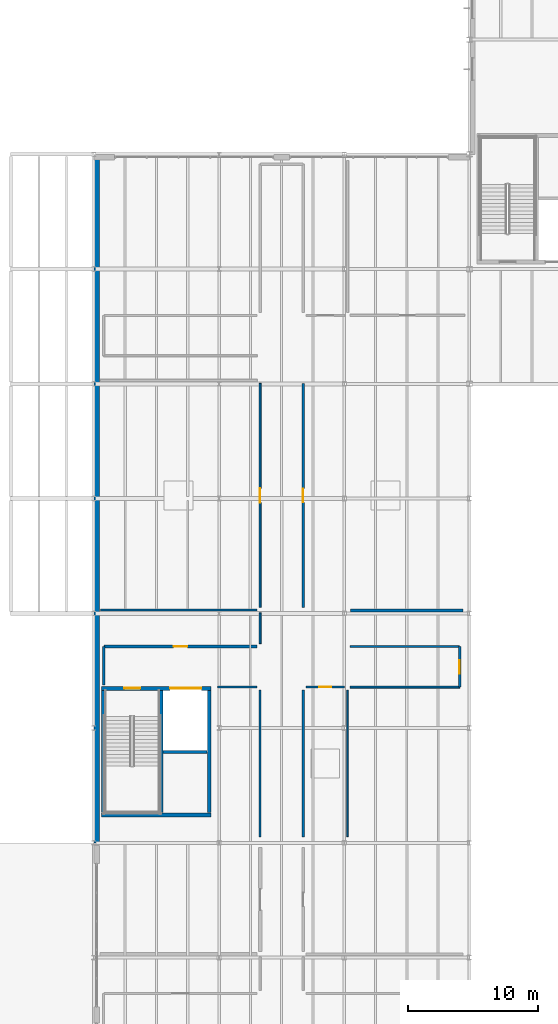
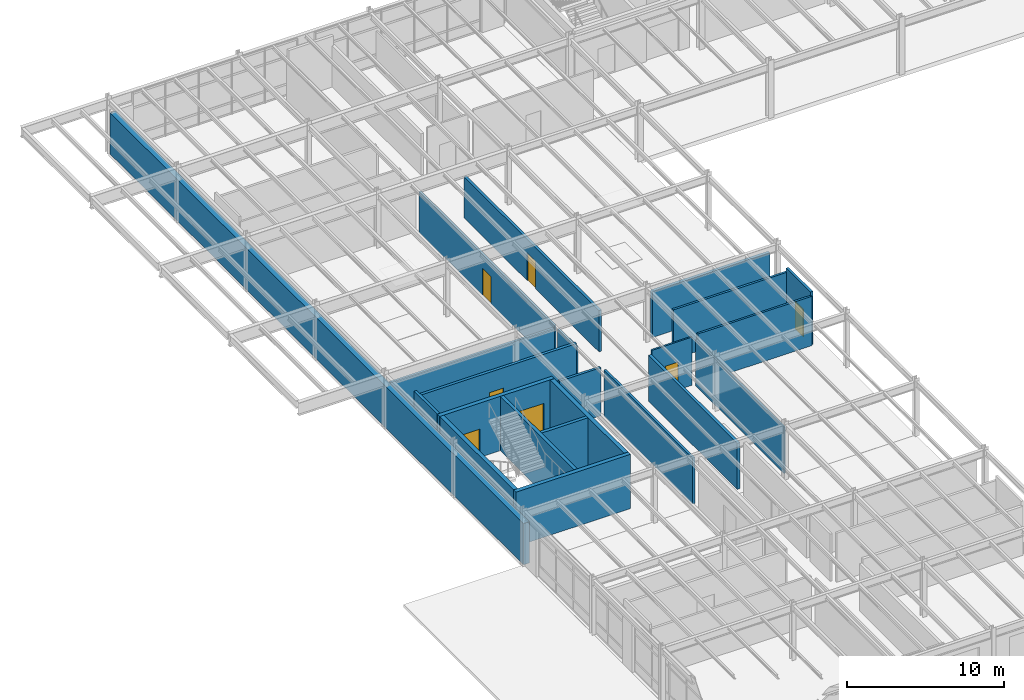
# One storey, part 56 of 77: 22 walls, 7 doors, 7 openings.
"""IFC4 building model written with IfcOpenShell, lengths in metres."""

import ifcopenshell
import ifcopenshell.guid

model = None  # the IFC model being written
_history = None  # IfcOwnerHistory: only IFC2X3 demands one
_inside = {}  # id of a spatial element -> (the spatial element, [elements in it])
_under = {}  # id of a project, library or spatial element -> (it, [spatial elements below it])
_declared = {}  # id of a project -> (the project, [libraries it declares])
_typed = {}  # id of a type object -> (the type object, [elements of that type])
_made_of = {}  # id of a material, layer set ... -> (it, [elements and type objects made of it])


def new_model(schema):
    """Start an empty IFC model of exactly this schema.

    Asked for "IFC4X3", IfcOpenShell would pick the latest addendum, in which some entities
    have other attributes; the version numbers below select the first issue.
    IFC2X3 requires an IfcOwnerHistory on every rooted entity: one is made here for all.
    """
    global model, _history
    if schema == "IFC4X3":
        model = ifcopenshell.file(schema_version=(4, 3, 0, 0))
    else:
        model = ifcopenshell.file(schema=schema)
    _inside.clear()
    _under.clear()
    _declared.clear()
    _typed.clear()
    _made_of.clear()
    _history = None
    if model.schema == "IFC2X3":
        org = make("IfcOrganization", Name="unknown")
        user = make(
            "IfcPersonAndOrganization",
            ThePerson=make("IfcPerson", FamilyName="unknown"),
            TheOrganization=org,
        )
        app = make(
            "IfcApplication",
            ApplicationDeveloper=org,
            Version="unknown",
            ApplicationFullName="unknown",
            ApplicationIdentifier="unknown",
        )
        _history = make(
            "IfcOwnerHistory",
            OwningUser=user,
            OwningApplication=app,
            ChangeAction="ADDED",
            CreationDate=0,
        )
    return model


def make(cls, **values):
    """One entity of the class cls with the attributes given. An attribute that is None is left unset."""
    return model.create_entity(
        cls, **{name: value for name, value in values.items() if value is not None}
    )


def rooted(cls, **values):
    """An entity with a GlobalId (a new one), such as an element, a storey or a relation."""
    return make(cls, GlobalId=ifcopenshell.guid.new(), OwnerHistory=_history, **values)


def si_unit(unit_type, name, prefix=None):
    """IfcSIUnit, for example si_unit("LENGTHUNIT", "METRE", prefix="MILLI")."""
    return make("IfcSIUnit", UnitType=unit_type, Prefix=prefix, Name=name)


def assignment(units):
    """IfcUnitAssignment: the units of a project."""
    return None if units is None else make("IfcUnitAssignment", Units=units)


def point(xyz):
    """IfcCartesianPoint."""
    return None if xyz is None else make("IfcCartesianPoint", Coordinates=xyz)


def direction(xyz):
    """IfcDirection."""
    return None if xyz is None else make("IfcDirection", DirectionRatios=xyz)


def frame(location, z_axis=None, x_axis=None):
    """IfcAxis2Placement3D, a coordinate frame: its origin and axes. An axis left out is left unset."""
    return make(
        "IfcAxis2Placement3D",
        Location=point(location),
        Axis=direction(z_axis),
        RefDirection=direction(x_axis),
    )


def frame_2d(location, x_axis=None):
    """IfcAxis2Placement2D, a coordinate frame in the plane: its origin and x axis."""
    return make(
        "IfcAxis2Placement2D", Location=point(location), RefDirection=direction(x_axis)
    )


def origin():
    """The frame at (0, 0, 0) with its axes left unset."""
    return frame((0.0, 0.0, 0.0))


def place(relative_to, where):
    """IfcLocalPlacement: puts the frame where relative to a parent placement (None: the world)."""
    return make(
        "IfcLocalPlacement", PlacementRelTo=relative_to, RelativePlacement=where
    )


def context(
    kind, dimensions, precision=None, world=None, true_north=None, identifier=None
):
    """IfcGeometricRepresentationContext, for example the 3D "Model" context."""
    return make(
        "IfcGeometricRepresentationContext",
        ContextIdentifier=identifier,
        ContextType=kind,
        CoordinateSpaceDimension=dimensions,
        Precision=precision,
        WorldCoordinateSystem=world,
        TrueNorth=true_north,
    )


def subcontext(parent, identifier, kind, view, scale=None):
    """IfcGeometricRepresentationSubContext, for example "Body" below "Model"."""
    return make(
        "IfcGeometricRepresentationSubContext",
        ContextIdentifier=identifier,
        ContextType=kind,
        ParentContext=parent,
        TargetScale=scale,
        TargetView=view,
    )


def project(units=None, contexts=None):
    """IfcProject with its units and contexts."""
    return rooted(
        "IfcProject",
        Name="project",
        RepresentationContexts=contexts,
        UnitsInContext=assignment(units),
    )


def spatial(cls, under=None, at=None, **own):
    """A site, building, storey or space (cls), placed at a placement, below another one or the project."""
    s = rooted(cls, ObjectPlacement=at, **own)
    if under is not None:
        _under.setdefault(under.id(), (under, []))[1].append(s)
    return s


def profile(cls, at=None, kind="AREA", **sizes):
    """A parametric profile (cls). Its sizes go by their IFC names, for example OverallWidth=200.0."""
    return make(cls, ProfileType=kind, Position=at, **sizes)


def rectangle(**sizes):
    """IfcRectangleProfileDef."""
    return profile("IfcRectangleProfileDef", **sizes)


def extrude(swept, where, along, depth):
    """IfcExtrudedAreaSolid: the profile swept, set in the frame where, extruded along a direction by depth."""
    return make(
        "IfcExtrudedAreaSolid",
        SweptArea=swept,
        Position=where,
        ExtrudedDirection=direction(along),
        Depth=depth,
    )


def shape(context_of_items, identifier, shape_type, items):
    """IfcShapeRepresentation: the items that make up one representation, for example the "Body"."""
    return make(
        "IfcShapeRepresentation",
        ContextOfItems=context_of_items,
        RepresentationIdentifier=identifier,
        RepresentationType=shape_type,
        Items=items,
    )


def material(Name=None, Category=None):
    """IfcMaterial."""
    return make("IfcMaterial", Name=Name, Category=Category)


def layer(
    of_material, thickness, ventilated=None, Name=None, Category=None, Priority=None
):
    """IfcMaterialLayer: one layer of a wall or slab, of a material (None: an air gap)."""
    return make(
        "IfcMaterialLayer",
        Material=of_material,
        LayerThickness=thickness,
        IsVentilated=ventilated,
        Name=Name,
        Category=Category,
        Priority=Priority,
    )


def layer_set(layers, Name=None):
    """IfcMaterialLayerSet."""
    return make("IfcMaterialLayerSet", MaterialLayers=layers, LayerSetName=Name)


def made_of(thing, what):
    """Note that an element or type object is made of a material, layer set ...; save() writes the relation."""
    if what is not None:
        _made_of.setdefault(what.id(), (what, []))[1].append(thing)
    return thing


def type_object(cls, material=None, **own):
    """A type object (cls), such as IfcWallType, which elements share."""
    return made_of(rooted(cls, **own), material)


def element(
    cls,
    number,
    at=None,
    inside=None,
    cuts=None,
    type_object=None,
    material=None,
    context=None,
    identifier="Body",
    shape_type=None,
    held_by="IfcProductDefinitionShape",
    body=None,
    shapes=None,
    **own,
):
    """One element of the class cls, such as IfcWall. Its Tag is "e" and its number.

    at: its placement. inside: the storey or other place that contains it. cuts: it is an
    opening in that element (IfcRelVoidsElement). A single representation is given by context,
    identifier, shape_type and body (its items); several are given by shapes. held_by: the class
    of the entity that holds the representations. save() writes the other relations.
    """
    e = rooted(cls, Tag="e%d" % number, ObjectPlacement=at, **own)
    if body is not None:
        shapes = [shape(context, identifier, shape_type, body)]
    if shapes is not None:
        e.Representation = make(held_by, Representations=shapes)
    if inside is not None:
        _inside.setdefault(inside.id(), (inside, []))[1].append(e)
    if cuts is not None:
        rooted(
            "IfcRelVoidsElement", RelatingBuildingElement=cuts, RelatedOpeningElement=e
        )
    if type_object is not None:
        _typed.setdefault(type_object.id(), (type_object, []))[1].append(e)
    return made_of(e, material)


def fill(opening, filler):
    """IfcRelFillsElement: the door or window that sits in an opening."""
    return rooted(
        "IfcRelFillsElement",
        RelatingOpeningElement=opening,
        RelatedBuildingElement=filler,
    )


def aggregate(whole, parts):
    """IfcRelAggregates: a whole, such as a stair, and the parts it consists of."""
    return rooted("IfcRelAggregates", RelatingObject=whole, RelatedObjects=parts)


def save(model, path):
    """Write the relations noted so far, then the file.

    IfcRelAggregates (storeys below a building ...), IfcRelContainedInSpatialStructure (elements
    in a storey), IfcRelDefinesByType, IfcRelAssociatesMaterial and IfcRelDeclares: one each for
    every whole, place, type object, material and project.
    """
    for whole, parts in _under.values():
        aggregate(whole, parts)
    for where, things in _inside.values():
        rooted(
            "IfcRelContainedInSpatialStructure",
            RelatedElements=things,
            RelatingStructure=where,
        )
    for kind, things in _typed.values():
        rooted("IfcRelDefinesByType", RelatedObjects=things, RelatingType=kind)
    for what, things in _made_of.values():
        rooted("IfcRelAssociatesMaterial", RelatedObjects=things, RelatingMaterial=what)
    for by, libraries in _declared.values():
        rooted("IfcRelDeclares", RelatingContext=by, RelatedDefinitions=libraries)
    model.write(path)


model = new_model("IFC4")

# Units and contexts
model_context = context("Model", 3, precision=1e-05, world=origin(), true_north=direction((0.0, 1.0)))
body_context = subcontext(model_context, "Body", "Model", "MODEL_VIEW")
ifc_project = project(units=[si_unit("LENGTHUNIT", "METRE"), si_unit("AREAUNIT", "SQUARE_METRE"), si_unit("VOLUMEUNIT", "CUBIC_METRE"), si_unit("PLANEANGLEUNIT", "RADIAN"), si_unit("MASSUNIT", "GRAM", prefix="KILO")], contexts=[model_context])

# Site, building, storey
site_placement = place(None, origin())
site = spatial("IfcSite", under=ifc_project, at=site_placement, CompositionType="ELEMENT")
building_placement = place(site_placement, origin())
building = spatial("IfcBuilding", under=site, at=building_placement, Name="Sarnbrook Museum", CompositionType="ELEMENT")
storey_placement = place(building_placement, frame((0.0, 0.0, 5.60009765625)))
storey = spatial("IfcBuildingStorey", under=building, at=storey_placement, Name="L01", CompositionType="ELEMENT", Elevation=5.60009765625)

# Wall
ifc_material_1 = material(Name="Concrete N50 (AS 3600, f'c = 50 MPa)", Category="concrete")
ifc_layer_1 = layer(ifc_material_1, 0.300048828125)
ifc_layer_set_1 = layer_set([ifc_layer_1], Name="Concrete N50 (AS 3600, f'c = 50 MPa)")
wall_type_1 = type_object("IfcWallType", Name="CoreWall_CWRC", PredefinedType="SHEAR", material=ifc_layer_set_1)
wall_1_placement = place(storey_placement, frame((14.199951171875, 41.35009765625, 0.0), z_axis=(0.0, 0.0, 1.0), x_axis=(1.0, 0.0, 0.0)))
element("IfcWall", 1, at=wall_1_placement, inside=storey, type_object=wall_type_1, Name="Core C5 Shear Wall S L01", PredefinedType="SHEAR", context=body_context, shape_type="SweptSolid", body=[
    extrude(rectangle(XDim=8.400146484375, YDim=0.300048828125, at=frame_2d((4.2001953125, 0.0))), origin(), (0.0, 0.0, 1.0), 4.21484375),
])

# Wall, openings, doors
wall_2_placement = place(storey_placement, frame((22.60009765625, 51.050048828125, 0.0), z_axis=(0.0, 0.0, 1.0), x_axis=(-1.0, 0.0, 0.0)))
wall_2 = element("IfcWall", 2, at=wall_2_placement, inside=storey, type_object=wall_type_1, Name="Core C5 Shear Wall N L01", PredefinedType="SHEAR", context=body_context, shape_type="SweptSolid", body=[
    extrude(rectangle(XDim=8.400146484375, YDim=0.300048828125, at=frame_2d((4.2001953125, 0.0))), origin(), (0.0, 0.0, 1.0), 4.21484375),
])
opening_1_placement = place(wall_2_placement, frame((5.43505859375, 0.0, 0.0)))
opening_1 = element("IfcOpeningElement", 3, at=opening_1_placement, cuts=wall_2, Name="Opening D-ST-ST5-L01", PredefinedType="OPENING", context=body_context, shape_type="SweptSolid", body=[
    extrude(rectangle(XDim=1.25, YDim=2.199951171875, at=frame_2d((0.625, 1.10009765625))), frame((0.0, 0.16015625, 0.0), z_axis=(0.0, -1.0, 0.0), x_axis=(1.0, 0.0, 0.0)), (0.0, 0.0, 1.0), 0.320068359375),
])
opening_2_placement = place(wall_2_placement, frame((0.75, 0.0, 0.0)))
opening_2 = element("IfcOpeningElement", 4, at=opening_2_placement, cuts=wall_2, Name="Opening LD-GL1-L01", PredefinedType="OPENING", context=body_context, shape_type="SweptSolid", body=[
    extrude(rectangle(XDim=2.39990234375, YDim=2.550048828125, at=frame_2d((1.199951171875, 1.27490234375))), frame((0.0, 0.16015625, 0.0), z_axis=(0.0, -1.0, 0.0), x_axis=(1.0, 0.0, 0.0)), (0.0, 0.0, 1.0), 0.320068359375),
])
ifc_material_2 = material(Name="Tasmanian Oak Acoustic Timber", Category="wood")
door_type_1 = type_object("IfcDoorType", Name="FireDoor_FD120", OperationType="NOTDEFINED", PredefinedType="DOOR", material=ifc_material_2)
door_1_placement = place(opening_1_placement, origin())
door_1 = element("IfcDoor", 5, at=door_1_placement, inside=storey, type_object=door_type_1, Name="Exit Stair ST5 Fire Door L01", OperationType="SINGLE_SWING_LEFT", OverallHeight=2.199951171875, OverallWidth=1.25, PredefinedType="DOOR", context=body_context, shape_type="SweptSolid", body=[
    extrude(rectangle(XDim=1.25, YDim=2.199951171875, at=frame_2d((0.625, 1.10009765625))), frame((0.0, 0.02490234375, 0.0), z_axis=(0.0, -1.0, 0.0), x_axis=(1.0, 0.0, 0.0)), (0.0, 0.0, 1.0), 0.050048828125),
])
fill(opening_1, door_1)
ifc_material_3 = material(Name="Brushed Stainless Steel Grade 316", Category="steel")
door_type_2 = type_object("IfcDoorType", Name="LiftDoor_Goods240", OperationType="DOUBLE_DOOR_SLIDING", PredefinedType="DOOR", material=ifc_material_3)
door_2_placement = place(opening_2_placement, origin())
door_2 = element("IfcDoor", 6, at=door_2_placement, inside=storey, type_object=door_type_2, Name="Lift Landing Sliding Door LD-GL1-L01", OperationType="DOUBLE_DOOR_SLIDING", OverallHeight=2.550048828125, OverallWidth=2.39990234375, PredefinedType="DOOR", context=body_context, shape_type="SweptSolid", body=[
    extrude(rectangle(XDim=2.39990234375, YDim=2.550048828125, at=frame_2d((1.199951171875, 1.27490234375))), frame((0.0, 0.02490234375, 0.0), z_axis=(0.0, -1.0, 0.0), x_axis=(1.0, 0.0, 0.0)), (0.0, 0.0, 1.0), 0.050048828125),
])
fill(opening_2, door_2)

# Walls
for number, where, z_axis, x_axis, name in (
    (7, (22.449951171875, 41.510009765625, 0.0), (0.0, 0.0, 1.0), (0.0, 1.0, 0.0), "Core C5 Shear Wall E L01"),
    (8, (14.35009765625, 50.889892578125, 0.0), (0.0, 0.0, 1.0), (0.0, -1.0, 0.0), "Core C5 Shear Wall W L01"),
):
    element("IfcWall", number, at=place(storey_placement, frame(where, z_axis=z_axis, x_axis=x_axis)), inside=storey, type_object=wall_type_1, Name=name, PredefinedType="SHEAR", context=body_context, shape_type="SweptSolid", body=[
        extrude(rectangle(XDim=9.3798828125, YDim=0.300048828125, at=frame_2d((4.68994140625, 0.0))), origin(), (0.0, 0.0, 1.0), 4.21484375),
    ])

# Wall, opening, door
ifc_material_4 = material(Name="Fire-Rated Acoustic Gypsum Plasterboard")
ifc_layer_2 = layer(ifc_material_4, 0.1201171875)
ifc_layer_set_2 = layer_set([ifc_layer_2], Name="Fire-Rated Acoustic Gypsum Plasterboard")
wall_type_2 = type_object("IfcWallType", Name="PartWall_P120", PredefinedType="PARTITIONING", material=ifc_layer_set_2)
wall_3_placement = place(storey_placement, frame((29.8798828125, 51.14990234375, 0.0), z_axis=(0.0, 0.0, 1.0), x_axis=(1.0, 0.0, 0.0)))
wall_3 = element("IfcWall", 9, at=wall_3_placement, inside=storey, type_object=wall_type_2, Name="Interior Partition Wall L01-0391", PredefinedType="PARTITIONING", context=body_context, shape_type="SweptSolid", body=[
    extrude(rectangle(XDim=2.9501953125, YDim=0.1201171875, at=frame_2d((1.47509765625, 0.0))), origin(), (0.0, 0.0, 1.0), 3.73291015625),
])
opening_3_placement = place(wall_3_placement, frame((1.014892578125, 0.0, 0.0)))
opening_3 = element("IfcOpeningElement", 10, at=opening_3_placement, cuts=wall_3, Name="Opening D-L01-121", PredefinedType="OPENING", context=body_context, shape_type="SweptSolid", body=[
    extrude(rectangle(XDim=0.919921875, YDim=2.159912109375, at=frame_2d((0.4599609375, 1.080078125))), frame((0.0, 0.070068359375, 0.0), z_axis=(0.0, -1.0, 0.0), x_axis=(1.0, 0.0, 0.0)), (0.0, 0.0, 1.0), 0.14013671875),
])
door_type_3 = type_object("IfcDoorType", Name="IntDoor_DT07", OperationType="NOTDEFINED", PredefinedType="DOOR", material=ifc_material_2)
door_3_placement = place(opening_3_placement, origin())
door_3 = element("IfcDoor", 11, at=door_3_placement, inside=storey, type_object=door_type_3, Name="Marine Biodiversity Gallery L01-29 Door D-L01-121", OperationType="SINGLE_SWING_LEFT", OverallHeight=2.159912109375, OverallWidth=0.919921875, PredefinedType="DOOR", context=body_context, shape_type="SweptSolid", body=[
    extrude(rectangle(XDim=0.919921875, YDim=2.159912109375, at=frame_2d((0.4599609375, 1.080078125))), frame((0.0, 0.02490234375, 0.0), z_axis=(0.0, -1.0, 0.0), x_axis=(1.0, 0.0, 0.0)), (0.0, 0.0, 1.0), 0.050048828125),
])
fill(opening_3, door_3)

# Wall
wall_4_placement = place(storey_placement, frame((33.06005859375, 50.919921875, 0.0), z_axis=(0.0, 0.0, 1.0), x_axis=(0.0, -1.0, 0.0)))
element("IfcWall", 12, at=wall_4_placement, inside=storey, type_object=wall_type_2, Name="Interior Partition Wall L01-0440", PredefinedType="PARTITIONING", context=body_context, shape_type="SweptSolid", body=[
    extrude(rectangle(XDim=11.239990234375, YDim=0.1201171875, at=frame_2d((5.6201171875, 0.0))), origin(), (0.0, 0.0, 1.0), 3.5830078125),
])

# Wall, opening, door
ifc_layer_3 = layer(ifc_material_4, 0.135009765625)
ifc_layer_set_3 = layer_set([ifc_layer_3], Name="Fire-Rated Acoustic Gypsum Plasterboard")
wall_type_3 = type_object("IfcWallType", Name="PartWall_P135", PredefinedType="PARTITIONING", material=ifc_layer_set_3)
wall_5_placement = place(storey_placement, frame((26.35009765625, 74.429931640625, 0.0), z_axis=(0.0, 0.0, 1.0), x_axis=(0.0, -1.0, 0.0)))
wall_5 = element("IfcWall", 13, at=wall_5_placement, inside=storey, type_object=wall_type_3, Name="Interior Partition Wall L01-0383", PredefinedType="PARTITIONING", context=body_context, shape_type="SweptSolid", body=[
    extrude(rectangle(XDim=17.179931640625, YDim=0.135009765625, at=frame_2d((8.58984375, 0.0))), origin(), (0.0, 0.0, 1.0), 3.18994140625),
])
opening_4_placement = place(wall_5_placement, frame((8.0400390625, 0.0, 0.0)))
opening_4 = element("IfcOpeningElement", 14, at=opening_4_placement, cuts=wall_5, Name="Opening D-L01-119", PredefinedType="OPENING", context=body_context, shape_type="SweptSolid", body=[
    extrude(rectangle(XDim=1.10009765625, YDim=2.080078125, at=frame_2d((0.550048828125, 1.0400390625))), frame((0.0, 0.07763671875, 0.0), z_axis=(0.0, -1.0, 0.0), x_axis=(1.0, 0.0, 0.0)), (0.0, 0.0, 1.0), 0.155029296875),
])
door_type_4 = type_object("IfcDoorType", Name="IntDoor_DT05", OperationType="NOTDEFINED", PredefinedType="DOOR", material=ifc_material_2)
door_4_placement = place(opening_4_placement, origin())
door_4 = element("IfcDoor", 15, at=door_4_placement, inside=storey, type_object=door_type_4, Name="Classical Casts & Reliefs Gallery L01-27 Door D-L01-119", OperationType="SINGLE_SWING_LEFT", OverallHeight=2.080078125, OverallWidth=1.10009765625, PredefinedType="DOOR", context=body_context, shape_type="SweptSolid", body=[
    extrude(rectangle(XDim=1.10009765625, YDim=2.080078125, at=frame_2d((0.550048828125, 1.0400390625))), frame((0.0, 0.02490234375, 0.0), z_axis=(0.0, -1.0, 0.0), x_axis=(1.0, 0.0, 0.0)), (0.0, 0.0, 1.0), 0.050048828125),
])
fill(opening_4, door_4)

# Walls
ifc_layer_4 = layer(ifc_material_4, 0.14990234375)
ifc_layer_set_4 = layer_set([ifc_layer_4], Name="Fire-Rated Acoustic Gypsum Plasterboard")
wall_type_4 = type_object("IfcWallType", Name="PartWall_P150", PredefinedType="PARTITIONING", material=ifc_layer_set_4)
wall_6_placement = place(storey_placement, frame((26.35009765625, 56.830078125, 0.0), z_axis=(0.0, 0.0, 1.0), x_axis=(0.0, -1.0, 0.0)))
element("IfcWall", 16, at=wall_6_placement, inside=storey, type_object=wall_type_4, Name="Interior Partition Wall L01-0382", PredefinedType="PARTITIONING", context=body_context, shape_type="SweptSolid", body=[
    extrude(rectangle(XDim=2.35009765625, YDim=0.14990234375, at=frame_2d((1.175048828125, 0.0))), origin(), (0.0, 0.0, 1.0), 3.18994140625),
])
wall_7_placement = place(storey_placement, frame((33.25, 51.14990234375, 0.0), z_axis=(0.0, 0.0, 1.0), x_axis=(1.0, 0.0, 0.0)))
element("IfcWall", 17, at=wall_7_placement, inside=storey, type_object=wall_type_4, Name="Interior Partition Wall L01-0396", PredefinedType="PARTITIONING", context=body_context, shape_type="SweptSolid", body=[
    extrude(rectangle(XDim=8.389892578125, YDim=0.14990234375, at=frame_2d((4.19482421875, 0.0))), origin(), (0.0, 0.0, 1.0), 3.833984375),
])
ifc_layer_5 = layer(ifc_material_4, 0.1650390625)
ifc_layer_set_5 = layer_set([ifc_layer_5], Name="Fire-Rated Acoustic Gypsum Plasterboard")
wall_type_5 = type_object("IfcWallType", Name="PartWall_P165", PredefinedType="PARTITIONING", material=ifc_layer_set_5)
wall_8_placement = place(storey_placement, frame((26.35009765625, 50.919921875, 0.0), z_axis=(0.0, 0.0, 1.0), x_axis=(0.0, -1.0, 0.0)))
element("IfcWall", 18, at=wall_8_placement, inside=storey, type_object=wall_type_5, Name="Interior Partition Wall L01-0381", PredefinedType="PARTITIONING", context=body_context, shape_type="SweptSolid", body=[
    extrude(rectangle(XDim=11.27001953125, YDim=0.1650390625, at=frame_2d((5.635009765625, 0.0))), origin(), (0.0, 0.0, 1.0), 3.5830078125),
])
wall_9_placement = place(storey_placement, frame((41.639892578125, 54.25, 0.0), z_axis=(0.0, 0.0, 1.0), x_axis=(-1.0, 0.0, 0.0)))
element("IfcWall", 19, at=wall_9_placement, inside=storey, type_object=wall_type_5, Name="Interior Partition Wall L01-0395", PredefinedType="PARTITIONING", context=body_context, shape_type="SweptSolid", body=[
    extrude(rectangle(XDim=8.389892578125, YDim=0.1650390625, at=frame_2d((4.19482421875, 0.0))), origin(), (0.0, 0.0, 1.0), 3.833984375),
])
wall_10_placement = place(storey_placement, frame((14.10009765625, 57.06005859375, 0.0), z_axis=(0.0, 0.0, 1.0), x_axis=(1.0, 0.0, 0.0)))
element("IfcWall", 20, at=wall_10_placement, inside=storey, type_object=wall_type_5, Name="Interior Partition Wall L01-0437", PredefinedType="PARTITIONING", context=body_context, shape_type="SweptSolid", body=[
    extrude(rectangle(XDim=12.02001953125, YDim=0.1650390625, at=frame_2d((6.010009765625, 0.0))), origin(), (0.0, 0.0, 1.0), 3.18994140625),
])
ifc_layer_6 = layer(ifc_material_4, 0.179931640625)
ifc_layer_set_6 = layer_set([ifc_layer_6], Name="Fire-Rated Acoustic Gypsum Plasterboard")
wall_type_6 = type_object("IfcWallType", Name="PartWall_P180", PredefinedType="PARTITIONING", material=ifc_layer_set_6)
wall_11_placement = place(storey_placement, frame((23.080078125, 51.14990234375, 0.0), z_axis=(0.0, 0.0, 1.0), x_axis=(1.0, 0.0, 0.0)))
element("IfcWall", 21, at=wall_11_placement, inside=storey, type_object=wall_type_6, Name="Interior Partition Wall L01-0380", PredefinedType="PARTITIONING", context=body_context, shape_type="SweptSolid", body=[
    extrude(rectangle(XDim=3.0400390625, YDim=0.179931640625, at=frame_2d((1.52001953125, 0.0))), origin(), (0.0, 0.0, 1.0), 3.73291015625),
])

# Wall, opening, door
wall_12_placement = place(storey_placement, frame((41.64990234375, 51.159912109375, 0.0), z_axis=(0.0, 0.0, 1.0), x_axis=(0.0, 1.0, 0.0)))
wall_12 = element("IfcWall", 22, at=wall_12_placement, inside=storey, type_object=wall_type_6, Name="Interior Partition Wall L01-0394", PredefinedType="PARTITIONING", context=body_context, shape_type="SweptSolid", body=[
    extrude(rectangle(XDim=3.080078125, YDim=0.179931640625, at=frame_2d((1.5400390625, 0.0))), origin(), (0.0, 0.0, 1.0), 4.1298828125),
])
opening_5_placement = place(wall_12_placement, frame((1.02490234375, 0.0, 0.0)))
opening_5 = element("IfcOpeningElement", 23, at=opening_5_placement, cuts=wall_12, Name="Opening D-L01-123", PredefinedType="OPENING", context=body_context, shape_type="SweptSolid", body=[
    extrude(rectangle(XDim=1.030029296875, YDim=2.159912109375, at=frame_2d((0.51513671875, 1.080078125))), frame((0.0, 0.10009765625, 0.0), z_axis=(0.0, -1.0, 0.0), x_axis=(1.0, 0.0, 0.0)), (0.0, 0.0, 1.0), 0.199951171875),
])
door_type_5 = type_object("IfcDoorType", Name="IntDoor_DT09", OperationType="NOTDEFINED", PredefinedType="DOOR", material=ifc_material_2)
door_5_placement = place(opening_5_placement, frame((1.030029296875, 0.0, 0.0), z_axis=(0.0, 0.0, 1.0), x_axis=(-1.0, 0.0, 0.0)))
door_5 = element("IfcDoor", 24, at=door_5_placement, inside=storey, type_object=door_type_5, Name="Auditorium Upper Balcony & Projection L01-31 Door D-L01-123", OperationType="SINGLE_SWING_LEFT", OverallHeight=2.159912109375, OverallWidth=1.030029296875, PredefinedType="DOOR", context=body_context, shape_type="SweptSolid", body=[
    extrude(rectangle(XDim=1.030029296875, YDim=2.159912109375, at=frame_2d((0.51513671875, 1.080078125))), frame((0.0, 0.02490234375, 0.0), z_axis=(0.0, -1.0, 0.0), x_axis=(1.0, 0.0, 0.0)), (0.0, 0.0, 1.0), 0.050048828125),
])
fill(opening_5, door_5)

# Wall
ifc_layer_7 = layer(ifc_material_4, 0.195068359375)
ifc_layer_set_7 = layer_set([ifc_layer_7], Name="Fire-Rated Acoustic Gypsum Plasterboard")
wall_type_7 = type_object("IfcWallType", Name="PartWall_P195", PredefinedType="PARTITIONING", material=ifc_layer_set_7)
wall_13_placement = place(storey_placement, frame((14.35009765625, 54.239990234375, 0.0), z_axis=(0.0, 0.0, 1.0), x_axis=(0.0, -1.0, 0.0)))
element("IfcWall", 25, at=wall_13_placement, inside=storey, type_object=wall_type_7, Name="Interior Partition Wall L01-0379", PredefinedType="PARTITIONING", context=body_context, shape_type="SweptSolid", body=[
    extrude(rectangle(XDim=2.919921875, YDim=0.195068359375, at=frame_2d((1.4599609375, 0.0))), origin(), (0.0, 0.0, 1.0), 4.1298828125),
])

# Wall, opening, door
wall_14_placement = place(storey_placement, frame((29.64990234375, 57.25, 0.0), z_axis=(0.0, 0.0, 1.0), x_axis=(0.0, 1.0, 0.0)))
wall_14 = element("IfcWall", 26, at=wall_14_placement, inside=storey, type_object=wall_type_7, Name="Interior Partition Wall L01-0393", PredefinedType="PARTITIONING", context=body_context, shape_type="SweptSolid", body=[
    extrude(rectangle(XDim=17.179931640625, YDim=0.195068359375, at=frame_2d((8.58984375, 0.0))), origin(), (0.0, 0.0, 1.0), 3.18994140625),
])
opening_6_placement = place(wall_14_placement, frame((8.06494140625, 0.0, 0.0)))
opening_6 = element("IfcOpeningElement", 27, at=opening_6_placement, cuts=wall_14, Name="Opening D-L01-122", PredefinedType="OPENING", context=body_context, shape_type="SweptSolid", body=[
    extrude(rectangle(XDim=1.050048828125, YDim=2.14990234375, at=frame_2d((0.52490234375, 1.074951171875))), frame((0.0, 0.107421875, 0.0), z_axis=(0.0, -1.0, 0.0), x_axis=(1.0, 0.0, 0.0)), (0.0, 0.0, 1.0), 0.215087890625),
])
door_type_6 = type_object("IfcDoorType", Name="FireDoor_FD60", OperationType="NOTDEFINED", PredefinedType="DOOR", material=ifc_material_2)
door_6_placement = place(opening_6_placement, frame((1.050048828125, 0.0, 0.0), z_axis=(0.0, 0.0, 1.0), x_axis=(-1.0, 0.0, 0.0)))
door_6 = element("IfcDoor", 28, at=door_6_placement, inside=storey, type_object=door_type_6, Name="Southern Ocean Specimen Hall L01-30 Door D-L01-122", OperationType="SINGLE_SWING_RIGHT", OverallHeight=2.14990234375, OverallWidth=1.050048828125, PredefinedType="DOOR", context=body_context, shape_type="SweptSolid", body=[
    extrude(rectangle(XDim=1.050048828125, YDim=2.14990234375, at=frame_2d((0.52490234375, 1.074951171875))), frame((0.0, 0.02490234375, 0.0), z_axis=(0.0, -1.0, 0.0), x_axis=(1.0, 0.0, 0.0)), (0.0, 0.0, 1.0), 0.050048828125),
])
fill(opening_6, door_6)

ifc_layer_8 = layer(ifc_material_4, 0.2099609375)
ifc_layer_set_8 = layer_set([ifc_layer_8], Name="Fire-Rated Acoustic Gypsum Plasterboard")
wall_type_8 = type_object("IfcWallType", Name="PartWall_P210", PredefinedType="PARTITIONING", material=ifc_layer_set_8)
wall_15_placement = place(storey_placement, frame((26.1201171875, 54.25, 0.0), z_axis=(0.0, 0.0, 1.0), x_axis=(-1.0, 0.0, 0.0)))
wall_15 = element("IfcWall", 29, at=wall_15_placement, inside=storey, type_object=wall_type_8, Name="Interior Partition Wall L01-0378", PredefinedType="PARTITIONING", context=body_context, shape_type="SweptSolid", body=[
    extrude(rectangle(XDim=11.760009765625, YDim=0.2099609375, at=frame_2d((5.8798828125, 0.0))), origin(), (0.0, 0.0, 1.0), 3.73291015625),
])
opening_7_placement = place(wall_15_placement, frame((5.35498046875, 0.0, 0.0)))
opening_7 = element("IfcOpeningElement", 30, at=opening_7_placement, cuts=wall_15, Name="Opening D-L01-118", PredefinedType="OPENING", context=body_context, shape_type="SweptSolid", body=[
    extrude(rectangle(XDim=1.050048828125, YDim=2.14990234375, at=frame_2d((0.52490234375, 1.074951171875))), frame((0.0, 0.114990234375, 0.0), z_axis=(0.0, -1.0, 0.0), x_axis=(1.0, 0.0, 0.0)), (0.0, 0.0, 1.0), 0.22998046875),
])
door_7_placement = place(opening_7_placement, frame((1.050048828125, 0.0, 0.0), z_axis=(0.0, 0.0, 1.0), x_axis=(-1.0, 0.0, 0.0)))
door_7 = element("IfcDoor", 31, at=door_7_placement, inside=storey, type_object=door_type_6, Name="Wet Taxonomy Laboratory L01-26 Door D-L01-118", OperationType="SINGLE_SWING_RIGHT", OverallHeight=2.14990234375, OverallWidth=1.050048828125, PredefinedType="DOOR", context=body_context, shape_type="SweptSolid", body=[
    extrude(rectangle(XDim=1.050048828125, YDim=2.14990234375, at=frame_2d((0.52490234375, 1.074951171875))), frame((0.0, 0.02490234375, 0.0), z_axis=(0.0, -1.0, 0.0), x_axis=(1.0, 0.0, 0.0)), (0.0, 0.0, 1.0), 0.050048828125),
])
fill(opening_7, door_7)

# Walls
wall_16_placement = place(storey_placement, frame((29.64990234375, 39.64990234375, 0.0), z_axis=(0.0, 0.0, 1.0), x_axis=(0.0, 1.0, 0.0)))
element("IfcWall", 32, at=wall_16_placement, inside=storey, type_object=wall_type_8, Name="Interior Partition Wall L01-0392", PredefinedType="PARTITIONING", context=body_context, shape_type="SweptSolid", body=[
    extrude(rectangle(XDim=11.27001953125, YDim=0.2099609375, at=frame_2d((5.635009765625, 0.0))), origin(), (0.0, 0.0, 1.0), 3.5830078125),
])
wall_17_placement = place(storey_placement, frame((41.919921875, 57.02001953125, 0.0), z_axis=(0.0, 0.0, 1.0), x_axis=(-1.0, 0.0, 0.0)))
element("IfcWall", 33, at=wall_17_placement, inside=storey, type_object=wall_type_8, Name="Interior Partition Wall L01-0441", PredefinedType="PARTITIONING", context=body_context, shape_type="SweptSolid", body=[
    extrude(rectangle(XDim=8.639892578125, YDim=0.2099609375, at=frame_2d((4.31982421875, 0.0))), origin(), (0.0, 0.0, 1.0), 3.5830078125),
])
ifc_material_5 = material(Name="Concrete N40 (AS 3600, f'c = 40 MPa)", Category="concrete")
ifc_layer_9 = layer(ifc_material_5, 0.239990234375)
ifc_layer_set_9 = layer_set([ifc_layer_9], Name="Concrete N40 (AS 3600, f'c = 40 MPa)")
wall_type_9 = type_object("IfcWallType", Name="ShaftWall_SWRC", PredefinedType="SOLIDWALL", material=ifc_layer_set_9)
wall_18_placement = place(storey_placement, frame((18.77001953125, 41.510009765625, 0.0), z_axis=(0.0, 0.0, 1.0), x_axis=(0.0, 1.0, 0.0)))
element("IfcWall", 34, at=wall_18_placement, inside=storey, type_object=wall_type_9, Name="Stairwell ST5 Fire Shaft Wall L01", PredefinedType="SOLIDWALL", context=body_context, shape_type="SweptSolid", body=[
    extrude(rectangle(XDim=9.3798828125, YDim=0.239990234375, at=frame_2d((4.68994140625, 0.0))), origin(), (0.0, 0.0, 1.0), 4.21484375),
])
wall_19_placement = place(storey_placement, frame((18.89990234375, 46.179931640625, 0.0), z_axis=(0.0, 0.0, 1.0), x_axis=(1.0, 0.0, 0.0)))
element("IfcWall", 35, at=wall_19_placement, inside=storey, type_object=wall_type_9, Name="Lift GL1 Shaft Rear Wall L01", PredefinedType="SOLIDWALL", context=body_context, shape_type="SweptSolid", body=[
    extrude(rectangle(XDim=3.39013671875, YDim=0.239990234375, at=frame_2d((1.695068359375, 0.0))), origin(), (0.0, 0.0, 1.0), 4.21484375),
])
ifc_material_6 = material(Name="Barrabool Sandstone Ashlar Cladding", Category="masonry")
ifc_layer_10 = layer(ifc_material_6, 0.419921875)
ifc_layer_set_10 = layer_set([ifc_layer_10], Name="Barrabool Sandstone Ashlar Cladding")
wall_type_10 = type_object("IfcWallType", Name="Wall_SandstoneExt420", PredefinedType="SOLIDWALL", material=ifc_layer_set_10)
wall_20_placement = place(storey_placement, frame((13.81005859375, 91.783935546875, 0.0), z_axis=(0.0, 0.0, 1.0), x_axis=(0.0, -1.0, 0.0)))
element("IfcWall", 36, at=wall_20_placement, inside=storey, type_object=wall_type_10, Name="Classical Sandstone Facade Wall L01-11", PredefinedType="SOLIDWALL", context=body_context, shape_type="SweptSolid", body=[
    extrude(rectangle(XDim=52.583984375, YDim=0.419921875, at=frame_2d((26.2919921875, 0.0))), origin(), (0.0, 0.0, 1.0), 3.204833984375),
])

save(model, "model.ifc")
